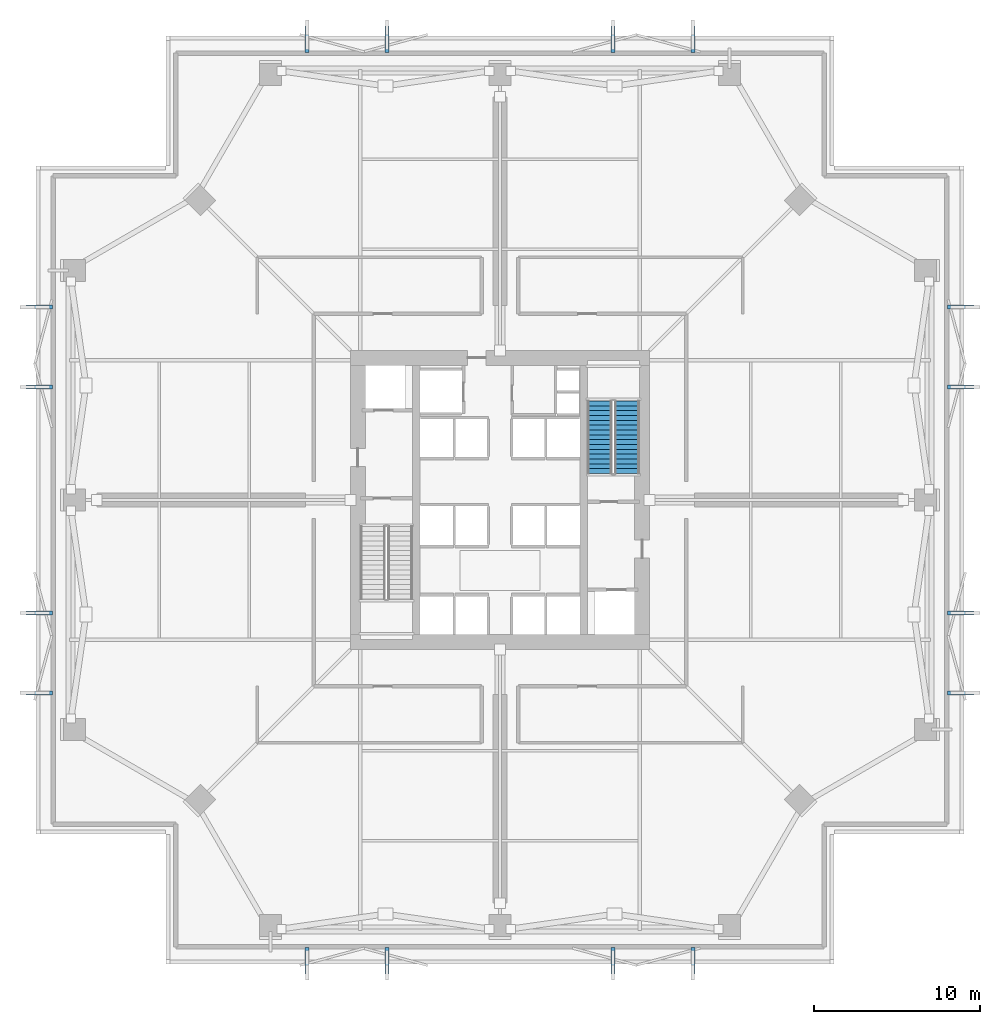
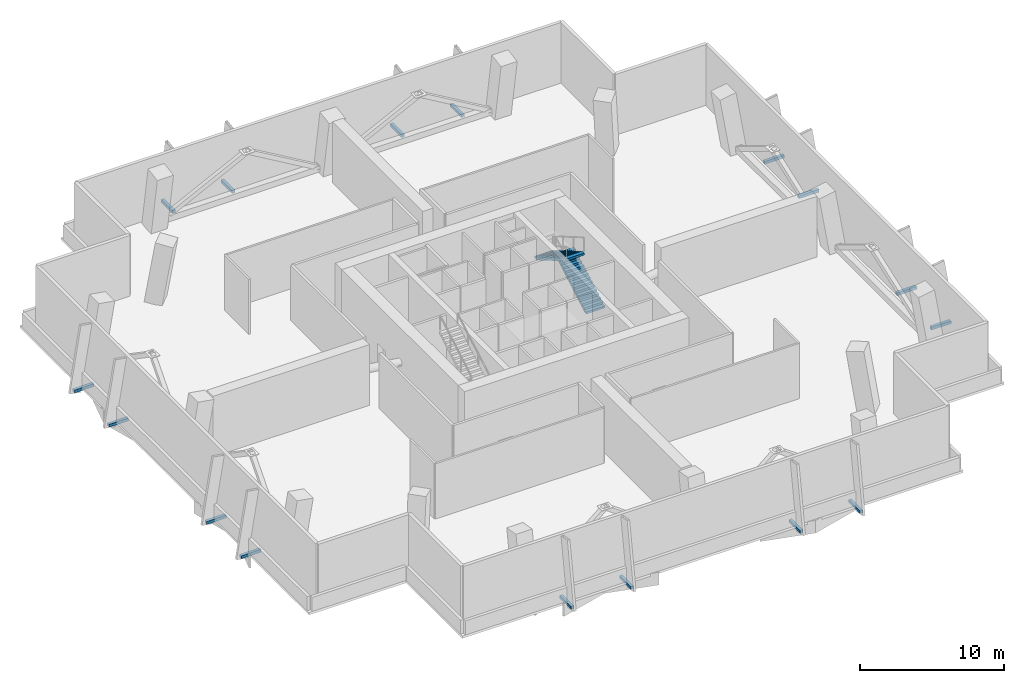
# One storey, part 5 of 6: 16 discrete accessories, 2 stair flights, 1 element without a shape of its own.
"""IFC4 building model written with IfcOpenShell, lengths in metres."""

from ifc_helpers import new_model, si_unit, direction, frame, origin, origin_2d, place, context, subcontext, project, spatial, polyline, rectangle, outline, extrude, material, layer, layer_set, type_object, element, aggregate, save


model = new_model("IFC4")

# Units and contexts
model_context = context("Model", 3, precision=1e-05, world=origin(), true_north=direction((0.0, 1.0)))
body_context = subcontext(model_context, "Body", "Model", "MODEL_VIEW")
ifc_project = project(units=[si_unit("LENGTHUNIT", "METRE"), si_unit("AREAUNIT", "SQUARE_METRE"), si_unit("VOLUMEUNIT", "CUBIC_METRE"), si_unit("PLANEANGLEUNIT", "RADIAN"), si_unit("MASSUNIT", "GRAM", prefix="KILO")], contexts=[model_context])

# Site, building, storey
site_placement = place(None, origin())
site = spatial("IfcSite", under=ifc_project, at=site_placement, CompositionType="ELEMENT")
building_placement = place(site_placement, origin())
building = spatial("IfcBuilding", under=site, at=building_placement, Name="Belovzor Exchange Tower", CompositionType="ELEMENT")
storey_placement = place(building_placement, frame((0.0, 0.0, 108.0)))
storey = spatial("IfcBuildingStorey", under=building, at=storey_placement, Name="L26", CompositionType="ELEMENT", Elevation=108.0)

# Stair, stair flights
ifc_material_1 = material(Name="Concrete C40/50", Category="concrete")
stair_type = type_object("IfcStairType", Name="Reinforced Concrete Dogleg Escape Stair 1350", PredefinedType="HALF_TURN_STAIR", material=ifc_material_1)
stair_placement = place(storey_placement, origin())
stair = element("IfcStair", 1, at=stair_placement, inside=storey, type_object=stair_type, Name="L26 ST-2", PredefinedType="HALF_TURN_STAIR")
ifc_material_2 = material(Name="Concrete C40/50", Category="concrete")
stair_flight_type = type_object("IfcStairFlightType", Name="Reinforced Concrete Stair Flight 1350", PredefinedType="STRAIGHT", material=ifc_material_2)
stair_flight_1_placement = place(storey_placement, frame((36.449951171875, 30.39990234375, 0.0), z_axis=(0.0, 0.0, 1.0), x_axis=(0.0, 1.0, 0.0)))
stair_flight_1 = element("IfcStairFlight", 2, at=stair_flight_1_placement, type_object=stair_flight_type, Name="ST-2 flight 1", NumberOfRisers=16, NumberOfTreads=15, PredefinedType="STRAIGHT", RiserHeight=0.16875, TreadLength=0.29, context=body_context, shape_type="SweptSolid", body=[
    extrude(outline(polyline([(0.0, 0.0), (0.0, 0.168701171875), (0.2900390625, 0.168701171875), (0.2900390625, 0.33740234375), (0.580078125, 0.33740234375), (0.580078125, 0.50634765625), (0.8701171875, 0.50634765625), (0.8701171875, 0.675048828125), (1.159912109375, 0.675048828125), (1.159912109375, 0.84375), (1.449951171875, 0.84375), (1.449951171875, 1.012451171875), (1.739990234375, 1.012451171875), (1.739990234375, 1.18115234375), (2.030029296875, 1.18115234375), (2.030029296875, 1.35009765625), (2.320068359375, 1.35009765625), (2.320068359375, 1.518798828125), (2.610107421875, 1.518798828125), (2.610107421875, 1.6875), (2.89990234375, 1.6875), (2.89990234375, 1.856201171875), (3.18994140625, 1.856201171875), (3.18994140625, 2.02490234375), (3.47998046875, 2.02490234375), (3.47998046875, 2.19384765625), (3.77001953125, 2.19384765625), (3.77001953125, 2.362548828125), (4.06005859375, 2.362548828125), (4.06005859375, 2.53125), (4.35009765625, 2.53125), (4.35009765625, 2.699951171875), (4.35009765625, 2.35791015625), (0.298095703125, 0.0), (0.0, 0.0)])), frame((0.0, 0.75, 0.0), z_axis=(0.0, -1.0, 0.0), x_axis=(1.0, 0.0, 0.0)), (0.0, 0.0, 1.0), 1.5),
])
stair_flight_2_placement = place(storey_placement, frame((34.800048828125, 34.75, 2.699951171875), z_axis=(0.0, 0.0, 1.0), x_axis=(0.0, -1.0, 0.0)))
stair_flight_2 = element("IfcStairFlight", 3, at=stair_flight_2_placement, type_object=stair_flight_type, Name="ST-2 flight 2", NumberOfRisers=16, NumberOfTreads=15, PredefinedType="STRAIGHT", RiserHeight=0.16875, TreadLength=0.29, context=body_context, shape_type="SweptSolid", body=[
    extrude(outline(polyline([(0.0, 0.0), (0.0, 0.168701171875), (0.2900390625, 0.168701171875), (0.2900390625, 0.33740234375), (0.580078125, 0.33740234375), (0.580078125, 0.50634765625), (0.8701171875, 0.50634765625), (0.8701171875, 0.675048828125), (1.159912109375, 0.675048828125), (1.159912109375, 0.84375), (1.449951171875, 0.84375), (1.449951171875, 1.012451171875), (1.739990234375, 1.012451171875), (1.739990234375, 1.18115234375), (2.030029296875, 1.18115234375), (2.030029296875, 1.35009765625), (2.320068359375, 1.35009765625), (2.320068359375, 1.518798828125), (2.610107421875, 1.518798828125), (2.610107421875, 1.6875), (2.89990234375, 1.6875), (2.89990234375, 1.856201171875), (3.18994140625, 1.856201171875), (3.18994140625, 2.02490234375), (3.47998046875, 2.02490234375), (3.47998046875, 2.19384765625), (3.77001953125, 2.19384765625), (3.77001953125, 2.362548828125), (4.06005859375, 2.362548828125), (4.06005859375, 2.53125), (4.35009765625, 2.53125), (4.35009765625, 2.699951171875), (4.35009765625, 2.35791015625), (0.298095703125, 0.0), (0.0, 0.0)])), frame((0.0, 0.75, 0.0), z_axis=(0.0, -1.0, 0.0), x_axis=(1.0, 0.0, 0.0)), (0.0, 0.0, 1.0), 1.5),
])
aggregate(stair, [stair_flight_1, stair_flight_2])

# Discrete accessories
ifc_material_3 = material(Name="Stainless Steel Grade 316", Category="steel")
ifc_layer = layer(ifc_material_3, 0.179931640625)
ifc_layer_set = layer_set([ifc_layer], Name="Stainless Steel Grade 316")
discrete_accessory_type = type_object("IfcDiscreteAccessoryType", Name="Stainless Steel Facade Outrigger Fixing Bracket", PredefinedType="BRACKET", material=ifc_layer_set)
for number, where, z_axis, x_axis, name in (
    (4, (17.199951171875, 1.0869140625, -0.2998046875), (0.0, 0.0, 1.0), (0.0, 1.0, 0.0), "BRK-FIN1 Sweeping Fin Outrigger Bracket L26 S1"),
    (5, (17.199951171875, 56.512939453125, -0.2998046875), (0.0, 0.0, 1.0), (0.0, 1.0, 0.0), "BRK-FIN1 Sweeping Fin Outrigger Bracket L26 N1"),
    (6, (1.0869140625, 17.199951171875, -0.2998046875), (0.0, 0.0, 1.0), (1.0, 0.0, 0.0), "BRK-FIN1 Sweeping Fin Outrigger Bracket L26 W1"),
    (7, (56.512939453125, 17.199951171875, -0.2998046875), (0.0, 0.0, 1.0), (1.0, 0.0, 0.0), "BRK-FIN1 Sweeping Fin Outrigger Bracket L26 E1"),
    (8, (22.0, 1.0869140625, -0.2998046875), (0.0, 0.0, 1.0), (0.0, 1.0, 0.0), "BRK-FIN1 Sweeping Fin Outrigger Bracket L26 S2"),
    (9, (22.0, 56.512939453125, -0.2998046875), (0.0, 0.0, 1.0), (0.0, 1.0, 0.0), "BRK-FIN1 Sweeping Fin Outrigger Bracket L26 N2"),
    (10, (1.0869140625, 22.0, -0.2998046875), (0.0, 0.0, 1.0), (1.0, 0.0, 0.0), "BRK-FIN1 Sweeping Fin Outrigger Bracket L26 W2"),
    (11, (56.512939453125, 22.0, -0.2998046875), (0.0, 0.0, 1.0), (1.0, 0.0, 0.0), "BRK-FIN1 Sweeping Fin Outrigger Bracket L26 E2"),
    (12, (35.60009765625, 1.0869140625, -0.2998046875), (0.0, 0.0, 1.0), (0.0, 1.0, 0.0), "BRK-FIN1 Sweeping Fin Outrigger Bracket L26 S3"),
    (13, (35.60009765625, 56.512939453125, -0.2998046875), (0.0, 0.0, 1.0), (0.0, 1.0, 0.0), "BRK-FIN1 Sweeping Fin Outrigger Bracket L26 N3"),
    (14, (1.0869140625, 35.60009765625, -0.2998046875), (0.0, 0.0, 1.0), (1.0, 0.0, 0.0), "BRK-FIN1 Sweeping Fin Outrigger Bracket L26 W3"),
    (15, (56.512939453125, 35.60009765625, -0.2998046875), (0.0, 0.0, 1.0), (1.0, 0.0, 0.0), "BRK-FIN1 Sweeping Fin Outrigger Bracket L26 E3"),
    (16, (40.39990234375, 1.0869140625, -0.2998046875), (0.0, 0.0, 1.0), (0.0, 1.0, 0.0), "BRK-FIN1 Sweeping Fin Outrigger Bracket L26 S4"),
    (17, (40.39990234375, 56.512939453125, -0.2998046875), (0.0, 0.0, 1.0), (0.0, 1.0, 0.0), "BRK-FIN1 Sweeping Fin Outrigger Bracket L26 N4"),
    (18, (1.0869140625, 40.39990234375, -0.2998046875), (0.0, 0.0, 1.0), (1.0, 0.0, 0.0), "BRK-FIN1 Sweeping Fin Outrigger Bracket L26 W4"),
    (19, (56.512939453125, 40.39990234375, -0.2998046875), (0.0, 0.0, 1.0), (1.0, 0.0, 0.0), "BRK-FIN1 Sweeping Fin Outrigger Bracket L26 E4"),
):
    element("IfcDiscreteAccessory", number, at=place(storey_placement, frame(where, z_axis=z_axis, x_axis=x_axis)), inside=storey, type_object=discrete_accessory_type, Name=name, PredefinedType="BRACKET", context=body_context, shape_type="SweptSolid", body=[
        extrude(rectangle(XDim=1.5849609375, YDim=0.239990234375, at=origin_2d()), origin(), (0.0, 0.0, 1.0), 0.239990234375),
    ])

save(model, "model.ifc")
